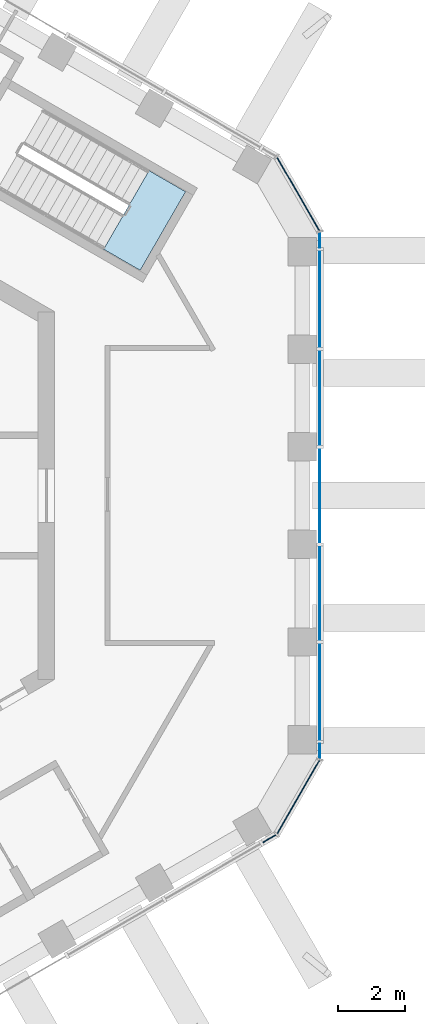
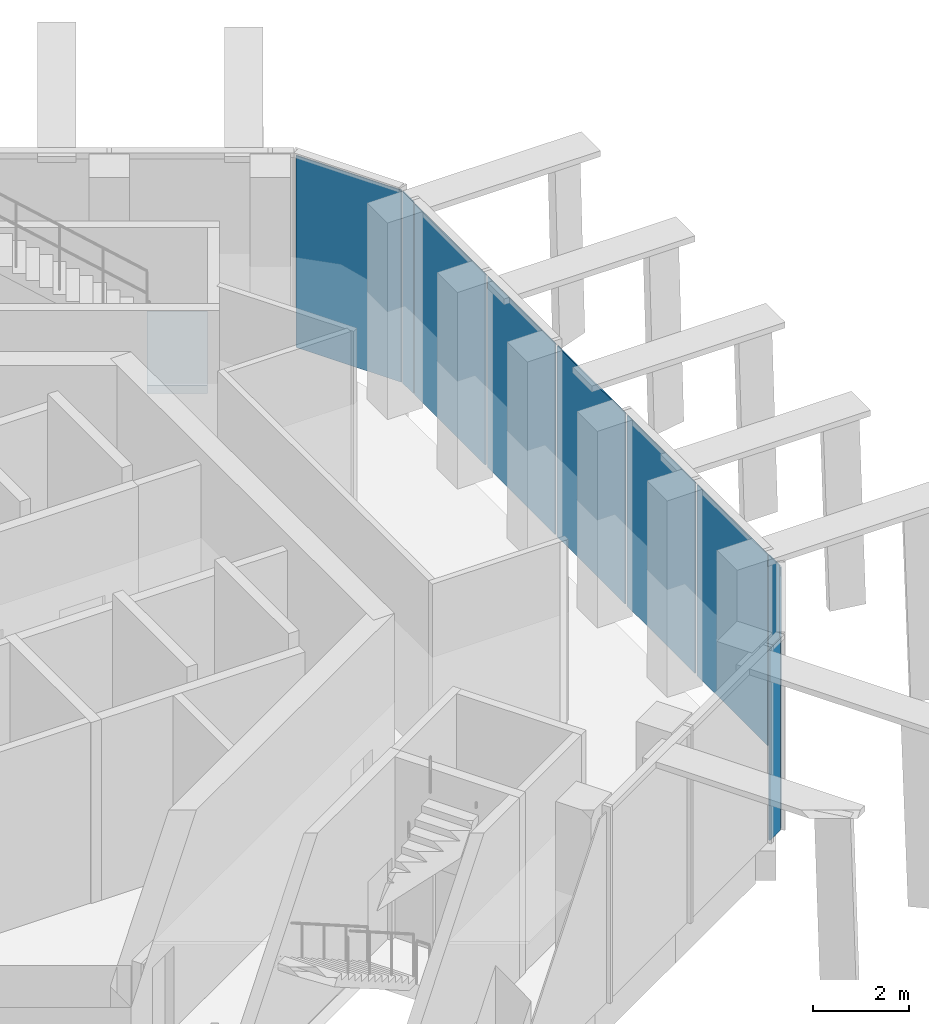
# One storey, part 9 of 17: 10 plates, 1 slab, 4 elements without a shape of their own.
"""IFC4 building model written with IfcOpenShell, lengths in metres."""

from ifc_helpers import new_model, si_unit, direction, frame, origin, origin_2d, place, context, subcontext, project, spatial, polyline, rectangle, outline, extrude, material, layer, layer_set, type_object, element, aggregate, save


model = new_model("IFC4")

# Units and contexts
model_context = context("Model", 3, precision=1e-05, world=origin(), true_north=direction((0.0, 1.0)))
body_context = subcontext(model_context, "Body", "Model", "MODEL_VIEW")
ifc_project = project(units=[si_unit("LENGTHUNIT", "METRE"), si_unit("AREAUNIT", "SQUARE_METRE"), si_unit("VOLUMEUNIT", "CUBIC_METRE"), si_unit("PLANEANGLEUNIT", "RADIAN"), si_unit("MASSUNIT", "GRAM", prefix="KILO")], contexts=[model_context])

# Site, building, storey
site_placement = place(None, origin())
site = spatial("IfcSite", under=ifc_project, at=site_placement, CompositionType="ELEMENT")
building_placement = place(site_placement, origin())
building = spatial("IfcBuilding", under=site, at=building_placement, Name="Ayvan Gate Tower", CompositionType="ELEMENT")
storey_placement = place(building_placement, frame((0.0, 0.0, 252.89990234375)))
storey = spatial("IfcBuildingStorey", under=building, at=storey_placement, Name="L68", CompositionType="ELEMENT", Elevation=252.89990234375)

# Stair, slab
ifc_material_1 = material(Name="Concrete C40/50", Category="concrete")
stair_type = type_object("IfcStairType", Name="ST-EXIT", PredefinedType="HALF_TURN_STAIR", material=ifc_material_1)
stair_placement = place(storey_placement, origin())
stair = element("IfcStair", 1, at=stair_placement, inside=storey, type_object=stair_type, Name="L68 Exit Stair S1", PredefinedType="HALF_TURN_STAIR")
ifc_layer_1 = layer(ifc_material_1, 0.199951171875)
ifc_layer_set_1 = layer_set([ifc_layer_1], Name="Concrete C40/50")
slab_type = type_object("IfcSlabType", Name="SL-LANDING-200", PredefinedType="LANDING", material=ifc_layer_set_1)
slab_placement = place(storey_placement, frame((0.0, 0.0, 2.300048828125)))
slab = element("IfcSlab", 2, at=slab_placement, type_object=slab_type, Name="STS1 landing 1", PredefinedType="LANDING", context=body_context, shape_type="SweptSolid", body=[
    extrude(outline(polyline([(10.95849609375, 7.3505859375), (12.049560546875, 6.720458984375), (13.404541015625, 9.0673828125), (12.3134765625, 9.697509765625), (10.95849609375, 7.3505859375)])), origin(), (0.0, 0.0, 1.0), 0.199951171875),
])
aggregate(stair, [slab])

# Curtain wall, plates
ifc_material_2 = material(Name="Bronze anodised aluminium", Category="aluminium")
ifc_layer_2 = layer(ifc_material_2, 0.199951171875)
ifc_layer_set_2 = layer_set([ifc_layer_2], Name="Bronze anodised aluminium")
curtain_wall_type_1 = type_object("IfcCurtainWallType", Name="Stick curtain wall CW-5", PredefinedType="NOTDEFINED", material=ifc_layer_set_2)
curtain_wall_1_placement = place(storey_placement, origin())
curtain_wall_1 = element("IfcCurtainWall", 3, at=curtain_wall_1_placement, inside=storey, type_object=curtain_wall_type_1, Name="Stick curtain wall CW-5 L68", PredefinedType="NOTDEFINED")
ifc_material_3 = material(Name="Clear low-iron laminated glass", Category="glass")
ifc_layer_3 = layer(ifc_material_3, 0.028076171875)
ifc_layer_set_3 = layer_set([ifc_layer_3], Name="Clear low-iron laminated glass")
plate_type_1 = type_object("IfcPlateType", Name="Stick curtain wall CW-5 glass panel", PredefinedType="CURTAIN_PANEL", material=ifc_layer_set_3)
plate_1_placement = place(storey_placement, frame((17.41259765625, -5.8857421875, 0.0), z_axis=(0.0, 0.0, 1.0), x_axis=(0.0, 1.0, 0.0)))
plate_1 = element("IfcPlate", 4, at=plate_1_placement, type_object=plate_type_1, Name="CW-5 glass panel 1", PredefinedType="CURTAIN_PANEL", context=body_context, shape_type="SweptSolid", body=[
    extrude(rectangle(XDim=2.94189453125, YDim=0.028076171875, at=origin_2d()), origin(), (0.0, 0.0, 1.0), 4.85009765625),
])
plate_2_placement = place(storey_placement, frame((17.41259765625, -2.913330078125, 0.0), z_axis=(0.0, 0.0, 1.0), x_axis=(0.0, 1.0, 0.0)))
plate_2 = element("IfcPlate", 5, at=plate_2_placement, type_object=plate_type_1, Name="CW-5 glass panel 2", PredefinedType="CURTAIN_PANEL", context=body_context, shape_type="SweptSolid", body=[
    extrude(rectangle(XDim=2.822998046875, YDim=0.028076171875, at=origin_2d()), origin(), (0.0, 0.0, 1.0), 4.85009765625),
])
plate_3_placement = place(storey_placement, frame((17.41259765625, -0.000244140625, 0.0), z_axis=(0.0, 0.0, 1.0), x_axis=(0.0, 1.0, 0.0)))
plate_3 = element("IfcPlate", 6, at=plate_3_placement, type_object=plate_type_1, Name="CW-5 glass panel 3", PredefinedType="CURTAIN_PANEL", context=body_context, shape_type="SweptSolid", body=[
    extrude(rectangle(XDim=2.822998046875, YDim=0.028076171875, at=origin_2d()), origin(), (0.0, 0.0, 1.0), 4.85009765625),
])
plate_4_placement = place(storey_placement, frame((17.41259765625, 2.91259765625, 0.0), z_axis=(0.0, 0.0, 1.0), x_axis=(0.0, 1.0, 0.0)))
plate_4 = element("IfcPlate", 7, at=plate_4_placement, type_object=plate_type_1, Name="CW-5 glass panel 4", PredefinedType="CURTAIN_PANEL", context=body_context, shape_type="SweptSolid", body=[
    extrude(rectangle(XDim=2.822998046875, YDim=0.028076171875, at=origin_2d()), origin(), (0.0, 0.0, 1.0), 4.85009765625),
])
plate_5_placement = place(storey_placement, frame((17.41259765625, 5.885498046875, 0.0), z_axis=(0.0, 0.0, 1.0), x_axis=(0.0, 1.0, 0.0)))
plate_5 = element("IfcPlate", 8, at=plate_5_placement, type_object=plate_type_1, Name="CW-5 glass panel 5", PredefinedType="CURTAIN_PANEL", context=body_context, shape_type="SweptSolid", body=[
    extrude(rectangle(XDim=2.942626953125, YDim=0.028076171875, at=origin_2d()), origin(), (0.0, 0.0, 1.0), 4.85009765625),
])
aggregate(curtain_wall_1, [plate_1, plate_2, plate_3, plate_4, plate_5])

ifc_layer_4 = layer(ifc_material_2, 0.199951171875)
ifc_layer_set_4 = layer_set([ifc_layer_4], Name="Bronze anodised aluminium")
curtain_wall_type_2 = type_object("IfcCurtainWallType", Name="Stick curtain wall CW-6", PredefinedType="NOTDEFINED", material=ifc_layer_set_4)
curtain_wall_2_placement = place(storey_placement, origin())
curtain_wall_2 = element("IfcCurtainWall", 9, at=curtain_wall_2_placement, inside=storey, type_object=curtain_wall_type_2, Name="Stick curtain wall CW-6 L68", PredefinedType="NOTDEFINED")
ifc_layer_5 = layer(ifc_material_3, 0.028076171875)
ifc_layer_set_5 = layer_set([ifc_layer_5], Name="Clear low-iron laminated glass")
plate_type_2 = type_object("IfcPlateType", Name="Stick curtain wall CW-6 glass panel", PredefinedType="CURTAIN_PANEL", material=ifc_layer_set_5)
plate_6_placement = place(storey_placement, frame((15.90478515625, -10.23828125, 0.000244140625), z_axis=(0.0, 0.0, 1.0), x_axis=(0.866025403784, 0.5, 0.0)))
plate_6 = element("IfcPlate", 10, at=plate_6_placement, type_object=plate_type_2, Name="CW-6 glass panel 1", PredefinedType="CURTAIN_PANEL", context=body_context, shape_type="SweptSolid", body=[
    extrude(rectangle(XDim=0.449951171875, YDim=0.028076171875, at=origin_2d()), origin(), (0.0, 0.0, 1.0), 4.8798828125),
])
plate_7_placement = place(storey_placement, frame((16.766845703125, -8.9951171875, 0.000244140625), z_axis=(0.0, 0.0, 1.0), x_axis=(0.5, 0.866025403784, 0.0)))
plate_7 = element("IfcPlate", 11, at=plate_7_placement, type_object=plate_type_2, Name="CW-6 glass panel 2", PredefinedType="CURTAIN_PANEL", context=body_context, shape_type="SweptSolid", body=[
    extrude(rectangle(XDim=2.532470703125, YDim=0.028076171875, at=origin_2d()), origin(), (0.0, 0.0, 1.0), 4.8798828125),
])
plate_8_placement = place(storey_placement, frame((17.41259765625, -7.626708984375, 0.000244140625), z_axis=(0.0, 0.0, 1.0), x_axis=(0.0, 1.0, 0.0)))
plate_8 = element("IfcPlate", 12, at=plate_8_placement, type_object=plate_type_2, Name="CW-6 glass panel 3", PredefinedType="CURTAIN_PANEL", context=body_context, shape_type="SweptSolid", body=[
    extrude(rectangle(XDim=0.449951171875, YDim=0.028076171875, at=origin_2d()), origin(), (0.0, 0.0, 1.0), 4.8798828125),
])
aggregate(curtain_wall_2, [plate_6, plate_7, plate_8])

curtain_wall_3_placement = place(storey_placement, origin())
curtain_wall_3 = element("IfcCurtainWall", 13, at=curtain_wall_3_placement, inside=storey, type_object=curtain_wall_type_2, Name="Stick curtain wall CW-6 L68", PredefinedType="NOTDEFINED")
plate_9_placement = place(storey_placement, frame((17.41259765625, 7.626708984375, 0.000244140625), z_axis=(0.0, 0.0, 1.0), x_axis=(0.0, 1.0, 0.0)))
plate_9 = element("IfcPlate", 14, at=plate_9_placement, type_object=plate_type_2, Name="CW-6 glass panel 1", PredefinedType="CURTAIN_PANEL", context=body_context, shape_type="SweptSolid", body=[
    extrude(rectangle(XDim=0.449951171875, YDim=0.028076171875, at=origin_2d()), origin(), (0.0, 0.0, 1.0), 4.8798828125),
])
plate_10_placement = place(storey_placement, frame((16.766845703125, 8.9951171875, 0.000244140625), z_axis=(0.0, 0.0, 1.0), x_axis=(-0.5, 0.866025403784, 0.0)))
plate_10 = element("IfcPlate", 15, at=plate_10_placement, type_object=plate_type_2, Name="CW-6 glass panel 2", PredefinedType="CURTAIN_PANEL", context=body_context, shape_type="SweptSolid", body=[
    extrude(rectangle(XDim=2.532470703125, YDim=0.028076171875, at=origin_2d()), origin(), (0.0, 0.0, 1.0), 4.8798828125),
])
aggregate(curtain_wall_3, [plate_9, plate_10])

save(model, "model.ifc")
